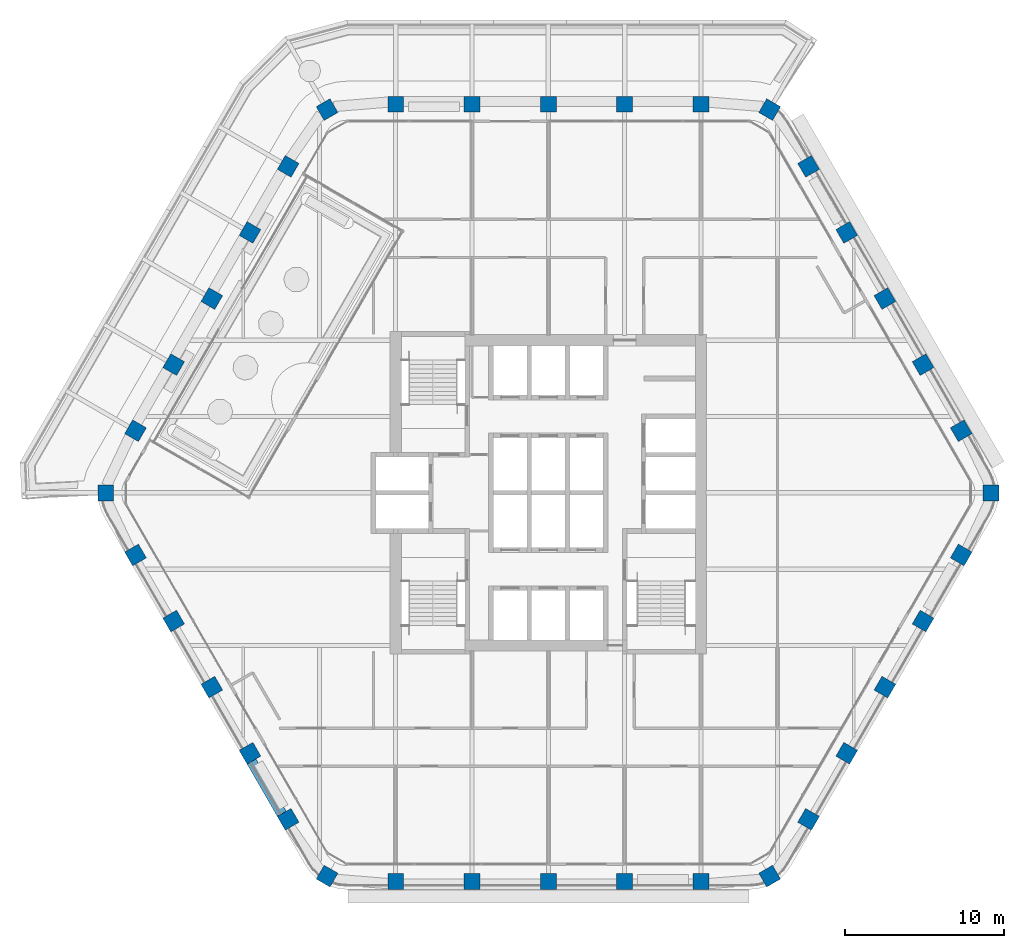
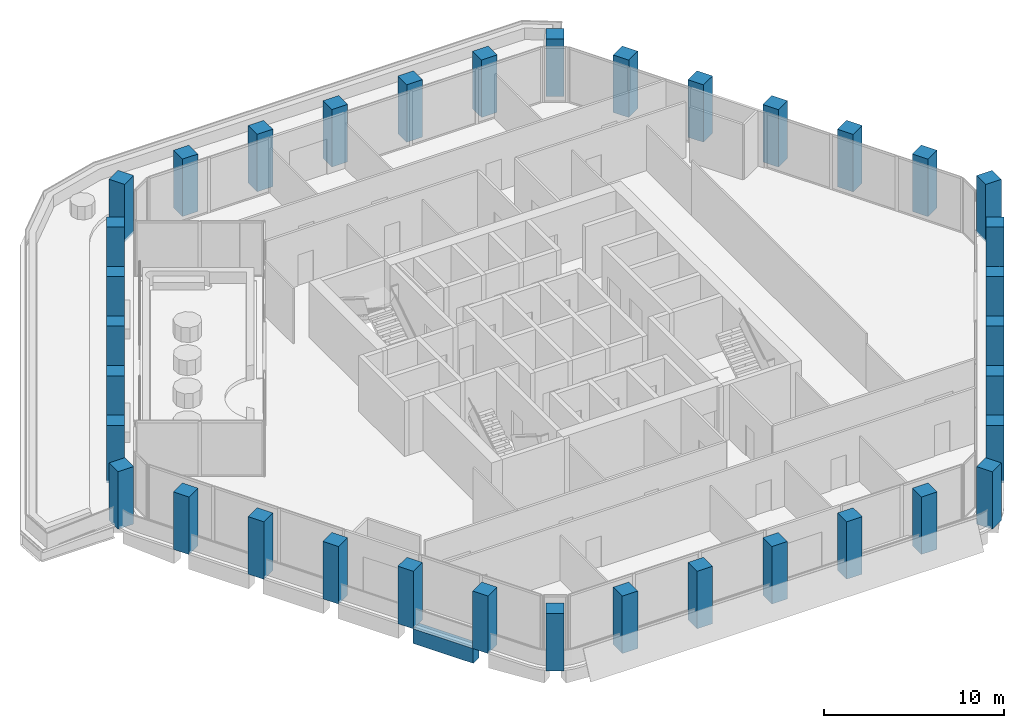
# One storey, part 1 of 18: 36 columns, 1 beam.
"""IFC4 building model written with IfcOpenShell, lengths in metres."""

from ifc_helpers import new_model, si_unit, direction, frame, origin, origin_2d, place, context, subcontext, project, spatial, rectangle, extrude, material, material_profile, profile_set, type_object, element, save


model = new_model("IFC4")

# Units and contexts
model_context = context("Model", 3, precision=1e-05, world=origin(), true_north=direction((0.0, 1.0)))
body_context = subcontext(model_context, "Body", "Model", "MODEL_VIEW")
ifc_project = project(units=[si_unit("LENGTHUNIT", "METRE"), si_unit("AREAUNIT", "SQUARE_METRE"), si_unit("VOLUMEUNIT", "CUBIC_METRE"), si_unit("PLANEANGLEUNIT", "RADIAN"), si_unit("MASSUNIT", "GRAM", prefix="KILO")], contexts=[model_context])

# Site, building, storey
site_placement = place(None, origin())
site = spatial("IfcSite", under=ifc_project, at=site_placement, CompositionType="ELEMENT")
building_placement = place(site_placement, origin())
building = spatial("IfcBuilding", under=site, at=building_placement, Name="Kolab Exchange Tower", CompositionType="ELEMENT")
storey_placement = place(building_placement, frame((0.0, 0.0, 150.5)))
storey = spatial("IfcBuildingStorey", under=building, at=storey_placement, Name="L30", CompositionType="ELEMENT", Elevation=150.5)

# Columns
ifc_material = material(Name="Concrete C60/75", Category="concrete")
ifc_material_profile_1 = material_profile(ifc_material, rectangle(XDim=1.0, YDim=1.0, at=origin_2d()), Name="RC1000")
ifc_profile_set_1 = profile_set([ifc_material_profile_1], Name="Concrete C60/75")
column_type = type_object("IfcColumnType", Name="PERIMETER COLUMN 1000 SQ C60/75", PredefinedType="COLUMN", material=ifc_profile_set_1)
for number, where, z_axis, x_axis, name in (
    (1, (-13.91796875, 24.106689453125, -0.14990234375), (0.0, 0.0, 1.0), (0.866025403784, 0.5, 0.0), "col/L30/F1-01"),
    (2, (-9.60009765625, 24.441650390625, -0.14990234375), (0.0, 0.0, 1.0), (1.0, 0.0, 0.0), "col/L30/F1-02"),
    (3, (-4.800048828125, 24.441650390625, -0.14990234375), (0.0, 0.0, 1.0), (1.0, 0.0, 0.0), "col/L30/F1-03"),
    (4, (0.0, 24.441650390625, -0.14990234375), (0.0, 0.0, 1.0), (1.0, 0.0, 0.0), "col/L30/F1-04"),
    (5, (4.800048828125, 24.441650390625, -0.14990234375), (0.0, 0.0, 1.0), (1.0, 0.0, 0.0), "col/L30/F1-05"),
    (6, (9.60009765625, 24.441650390625, -0.14990234375), (0.0, 0.0, 1.0), (1.0, 0.0, 0.0), "col/L30/F1-06"),
    (7, (13.91796875, 24.106689453125, -0.14990234375), (0.0, 0.0, 1.0), (0.5, 0.866025403784, 0.0), "col/L30/F2-01"),
    (8, (16.366943359375, 20.53466796875, -0.14990234375), (0.0, 0.0, 1.0), (0.866025403784, 0.5, 0.0), "col/L30/F2-02"),
    (9, (18.76708984375, 16.377685546875, -0.14990234375), (0.0, 0.0, 1.0), (0.866025403784, 0.5, 0.0), "col/L30/F2-03"),
    (10, (21.1669921875, 12.220703125, -0.14990234375), (0.0, 0.0, 1.0), (0.866025403784, 0.5, 0.0), "col/L30/F2-04"),
    (11, (23.56689453125, 8.06396484375, -0.14990234375), (0.0, 0.0, 1.0), (0.866025403784, 0.5, 0.0), "col/L30/F2-05"),
    (12, (25.967041015625, 3.906982421875, -0.14990234375), (0.0, 0.0, 1.0), (0.866025403784, 0.5, 0.0), "col/L30/F2-06"),
    (13, (27.8359375, 0.0, -0.14990234375), (0.0, 0.0, 1.0), (1.0, 0.0, 0.0), "col/L30/F3-01"),
    (14, (25.967041015625, -3.906982421875, -0.14990234375), (0.0, 0.0, 1.0), (0.5, 0.866025403784, 0.0), "col/L30/F3-02"),
    (15, (23.56689453125, -8.06396484375, -0.14990234375), (0.0, 0.0, 1.0), (0.5, 0.866025403784, 0.0), "col/L30/F3-03"),
    (16, (21.1669921875, -12.220703125, -0.14990234375), (0.0, 0.0, 1.0), (0.5, 0.866025403784, 0.0), "col/L30/F3-04"),
    (17, (18.76708984375, -16.377685546875, -0.14990234375), (0.0, 0.0, 1.0), (0.5, 0.866025403784, 0.0), "col/L30/F3-05"),
    (18, (16.366943359375, -20.53466796875, -0.14990234375), (0.0, 0.0, 1.0), (0.5, 0.866025403784, 0.0), "col/L30/F3-06"),
    (19, (13.91796875, -24.106689453125, -0.14990234375), (0.0, 0.0, 1.0), (0.866025403784, 0.5, 0.0), "col/L30/F4-01"),
    (20, (9.60009765625, -24.441650390625, -0.14990234375), (0.0, 0.0, 1.0), (1.0, 0.0, 0.0), "col/L30/F4-02"),
    (21, (4.800048828125, -24.441650390625, -0.14990234375), (0.0, 0.0, 1.0), (1.0, 0.0, 0.0), "col/L30/F4-03"),
    (22, (0.0, -24.441650390625, -0.14990234375), (0.0, 0.0, 1.0), (1.0, 0.0, 0.0), "col/L30/F4-04"),
    (23, (-4.800048828125, -24.441650390625, -0.14990234375), (0.0, 0.0, 1.0), (1.0, 0.0, 0.0), "col/L30/F4-05"),
    (24, (-9.60009765625, -24.441650390625, -0.14990234375), (0.0, 0.0, 1.0), (1.0, 0.0, 0.0), "col/L30/F4-06"),
    (25, (-13.91796875, -24.106689453125, -0.14990234375), (0.0, 0.0, 1.0), (0.5, 0.866025403784, 0.0), "col/L30/F5-01"),
    (26, (-16.366943359375, -20.53466796875, -0.14990234375), (0.0, 0.0, 1.0), (0.866025403784, 0.5, 0.0), "col/L30/F5-02"),
    (27, (-18.76708984375, -16.377685546875, -0.14990234375), (0.0, 0.0, 1.0), (0.866025403784, 0.5, 0.0), "col/L30/F5-03"),
    (28, (-21.1669921875, -12.220703125, -0.14990234375), (0.0, 0.0, 1.0), (0.866025403784, 0.5, 0.0), "col/L30/F5-04"),
    (29, (-23.56689453125, -8.06396484375, -0.14990234375), (0.0, 0.0, 1.0), (0.866025403784, 0.5, 0.0), "col/L30/F5-05"),
    (30, (-25.967041015625, -3.906982421875, -0.14990234375), (0.0, 0.0, 1.0), (0.866025403784, 0.5, 0.0), "col/L30/F5-06"),
    (31, (-27.8359375, 0.0, -0.14990234375), (0.0, 0.0, 1.0), (1.0, 0.0, 0.0), "col/L30/F6-01"),
    (32, (-25.967041015625, 3.906982421875, -0.14990234375), (0.0, 0.0, 1.0), (0.5, 0.866025403784, 0.0), "col/L30/F6-02"),
    (33, (-23.56689453125, 8.06396484375, -0.14990234375), (0.0, 0.0, 1.0), (0.5, 0.866025403784, 0.0), "col/L30/F6-03"),
    (34, (-21.1669921875, 12.220703125, -0.14990234375), (0.0, 0.0, 1.0), (0.5, 0.866025403784, 0.0), "col/L30/F6-04"),
    (35, (-18.76708984375, 16.377685546875, -0.14990234375), (0.0, 0.0, 1.0), (0.5, 0.866025403784, 0.0), "col/L30/F6-05"),
    (36, (-16.366943359375, 20.53466796875, -0.14990234375), (0.0, 0.0, 1.0), (0.5, 0.866025403784, 0.0), "col/L30/F6-06"),
):
    element("IfcColumn", number, at=place(storey_placement, frame(where, z_axis=z_axis, x_axis=x_axis)), inside=storey, type_object=column_type, Name=name, PredefinedType="COLUMN", context=body_context, shape_type="SweptSolid", body=[
        extrude(rectangle(XDim=1.0, YDim=1.0, at=origin_2d()), origin(), (0.0, 0.0, 1.0), 3.89990234375),
    ])

# Beam
ifc_material_profile_2 = material_profile(ifc_material, rectangle(XDim=0.64990234375, YDim=1.0, at=origin_2d()), Name="RC650X1000")
ifc_profile_set_2 = profile_set([ifc_material_profile_2], Name="Concrete C60/75")
beam_type = type_object("IfcBeamType", Name="SPANDREL BEAM 650X1000 C60/75", PredefinedType="BEAM", material=ifc_profile_set_2)
beam_placement = place(storey_placement, frame((-16.74853515625, -20.2236328125, -0.64990234375), z_axis=(-0.499996613652, 0.866027358884, 0.0), x_axis=(-0.866027358884, -0.499996613652, 0.0)))
element("IfcBeam", 37, at=beam_placement, inside=storey, type_object=beam_type, Name="beam/L30/sp/F5-02", PredefinedType="BEAM", context=body_context, shape_type="SweptSolid", body=[
    extrude(rectangle(XDim=0.64990234375, YDim=1.0, at=origin_2d()), origin(), (0.0, 0.0, 1.0), 3.8798828125),
])

save(model, "model.ifc")
